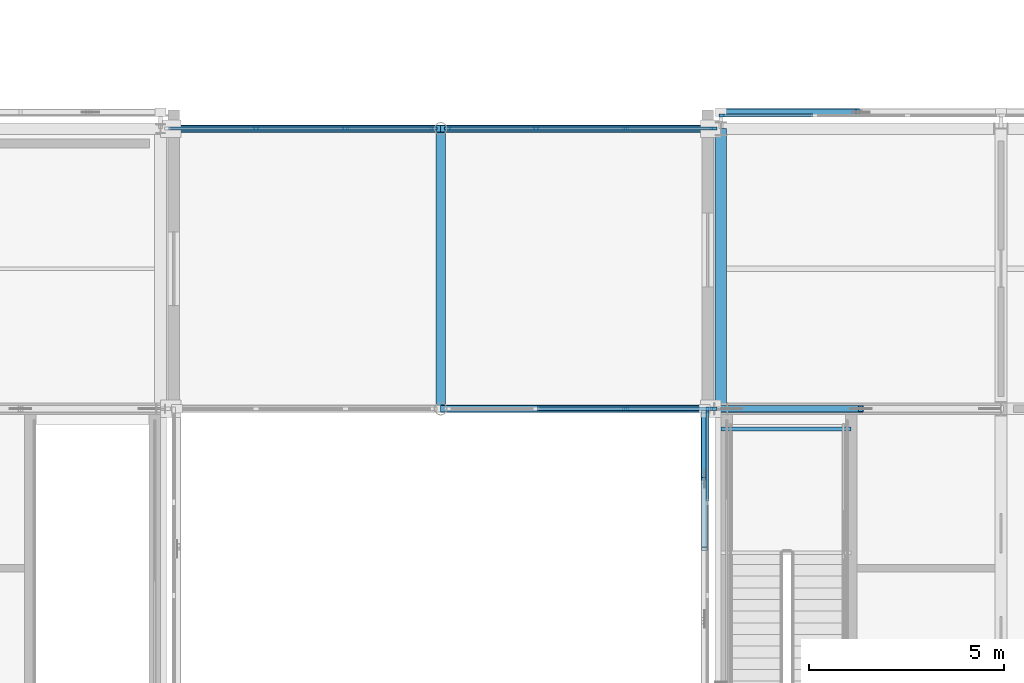
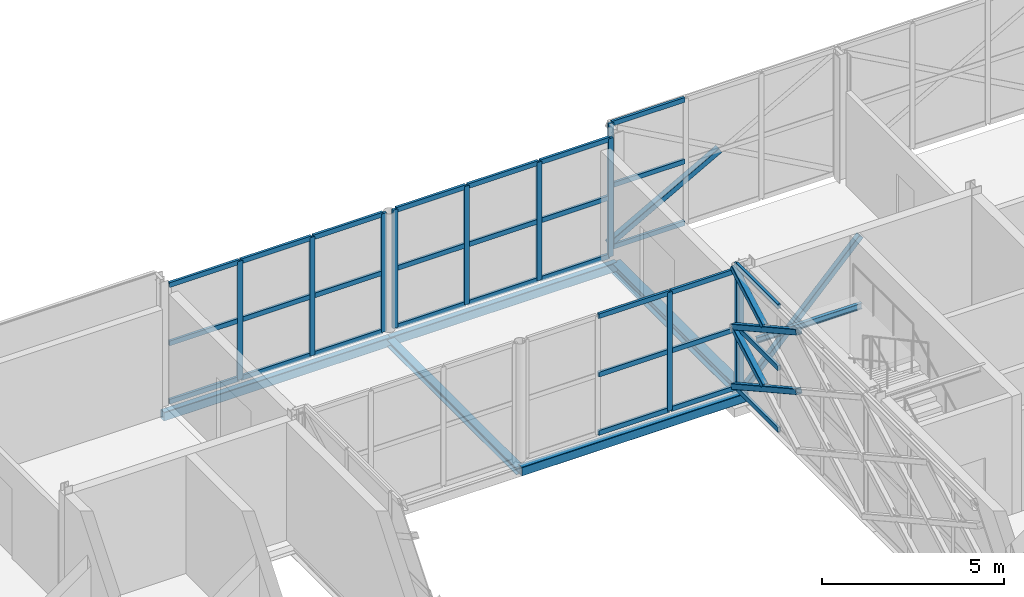
# One storey, part 26 of 126: 47 members, 6 beams, 5 elements without a shape of their own.
"""IFC4 building model written with IfcOpenShell, lengths in metres."""

from ifc_helpers import new_model, si_unit, direction, frame, origin, origin_2d, place, context, subcontext, project, spatial, rectangle, hollow_rectangle, i_section, extrude, material, material_profile, profile_set, type_object, element, aggregate, save


model = new_model("IFC4")

# Units and contexts
model_context = context("Model", 3, precision=1e-05, world=origin(), true_north=direction((0.0, 1.0)))
body_context = subcontext(model_context, "Body", "Model", "MODEL_VIEW")
ifc_project = project(units=[si_unit("LENGTHUNIT", "METRE"), si_unit("AREAUNIT", "SQUARE_METRE"), si_unit("VOLUMEUNIT", "CUBIC_METRE"), si_unit("PLANEANGLEUNIT", "RADIAN"), si_unit("MASSUNIT", "GRAM", prefix="KILO")], contexts=[model_context])

# Site, building, storey
site_placement = place(None, origin())
site = spatial("IfcSite", under=ifc_project, at=site_placement, CompositionType="ELEMENT")
building_placement = place(site_placement, origin())
building = spatial("IfcBuilding", under=site, at=building_placement, Name="Zlatovets Crest Museum", CompositionType="ELEMENT")
storey_placement = place(building_placement, frame((0.0, 0.0, 8.699951171875)))
storey = spatial("IfcBuildingStorey", under=building, at=storey_placement, Name="L02", CompositionType="ELEMENT", Elevation=8.699951171875)

# Beams
ifc_material_1 = material(Name="Structural steel S355J2", Category="steel")
ifc_material_profile_1 = material_profile(ifc_material_1, i_section(OverallWidth=0.300048828125, OverallDepth=0.35009765625, WebThickness=0.010009765625, FlangeThickness=0.017578125, FilletRadius=0.027099609375, at=origin_2d()), Name="HEA 360")
ifc_profile_set_1 = profile_set([ifc_material_profile_1], Name="Structural steel S355J2")
beam_type_1 = type_object("IfcBeamType", Name="Beam_B-03", PredefinedType="BEAM", material=ifc_profile_set_1)
beam_1_placement = place(storey_placement, frame((57.60009765625, 21.60009765625, -0.39501953125), z_axis=(0.0, 1.0, 0.0), x_axis=(-1.0, 0.0, 0.0)))
element("IfcBeam", 1, at=beam_1_placement, inside=storey, type_object=beam_type_1, Name="V2 L02 Grid Beam B-03", PredefinedType="BEAM", context=body_context, shape_type="SweptSolid", body=[
    extrude(i_section(OverallWidth=0.300048828125, OverallDepth=0.35009765625, WebThickness=0.010009765625, FlangeThickness=0.017578125, FilletRadius=0.027099609375, at=origin_2d()), origin(), (0.0, 0.0, 1.0), 7.199951171875),
])
ifc_material_profile_2 = material_profile(ifc_material_1, i_section(OverallWidth=0.239990234375, OverallDepth=0.22998046875, WebThickness=0.007568359375, FlangeThickness=0.011962890625, FilletRadius=0.02099609375, at=origin_2d()), Name="HEA 240")
ifc_profile_set_2 = profile_set([ifc_material_profile_2], Name="Structural steel S355J2")
beam_type_2 = type_object("IfcBeamType", Name="Beam_B-06", PredefinedType="BEAM", material=ifc_profile_set_2)
beam_2_placement = place(storey_placement, frame((50.39990234375, 21.60009765625, -0.369873046875), z_axis=(0.0, 1.0, 0.0), x_axis=(-1.0, 0.0, 0.0)))
element("IfcBeam", 2, at=beam_2_placement, inside=storey, type_object=beam_type_2, Name="South Forecourt Glazed Link Bridge L02 Cross Beam", PredefinedType="BEAM", context=body_context, shape_type="SweptSolid", body=[
    extrude(i_section(OverallWidth=0.239990234375, OverallDepth=0.22998046875, WebThickness=0.007568359375, FlangeThickness=0.011962890625, FilletRadius=0.02099609375, at=origin_2d()), origin(), (0.0, 0.0, 1.0), 7.199951171875),
])
ifc_material_profile_3 = material_profile(ifc_material_1, hollow_rectangle(XDim=0.199951171875, YDim=0.300048828125, WallThickness=0.012451171875, InnerFilletRadius=0.012451171875, OuterFilletRadius=0.02490234375, at=origin_2d()), Name="RHS 200x300x12.5")
ifc_profile_set_3 = profile_set([ifc_material_profile_3], Name="Structural steel S355J2")
beam_type_3 = type_object("IfcBeamType", Name="Beam_BRG-01", PredefinedType="BEAM", material=ifc_profile_set_3)
beam_3_placement = place(storey_placement, frame((50.39990234375, 21.60009765625, -0.369873046875), z_axis=(1.0, 0.0, 0.0), x_axis=(0.0, 1.0, 0.0)))
element("IfcBeam", 3, at=beam_3_placement, inside=storey, type_object=beam_type_3, Name="South Forecourt Glazed Link Bridge L02 Stringer Beam", PredefinedType="BEAM", context=body_context, shape_type="SweptSolid", body=[
    extrude(hollow_rectangle(XDim=0.199951171875, YDim=0.300048828125, WallThickness=0.012451171875, InnerFilletRadius=0.012451171875, OuterFilletRadius=0.02490234375, at=origin_2d()), origin(), (0.0, 0.0, 1.0), 7.2001953125),
])
beam_4_placement = place(storey_placement, frame((43.199951171875, 28.800048828125, -0.369873046875), z_axis=(1.0, 0.0, 0.0), x_axis=(0.0, 1.0, 0.0)))
element("IfcBeam", 4, at=beam_4_placement, inside=storey, type_object=beam_type_3, Name="South Forecourt Glazed Link Bridge L02 Stringer Beam", PredefinedType="BEAM", context=body_context, shape_type="SweptSolid", body=[
    extrude(hollow_rectangle(XDim=0.199951171875, YDim=0.300048828125, WallThickness=0.012451171875, InnerFilletRadius=0.012451171875, OuterFilletRadius=0.02490234375, at=origin_2d()), origin(), (0.0, 0.0, 1.0), 7.199951171875),
])
beam_5_placement = place(storey_placement, frame((50.39990234375, 28.800048828125, -0.369873046875), z_axis=(1.0, 0.0, 0.0), x_axis=(0.0, 1.0, 0.0)))
element("IfcBeam", 5, at=beam_5_placement, inside=storey, type_object=beam_type_3, Name="South Forecourt Glazed Link Bridge L02 Stringer Beam", PredefinedType="BEAM", context=body_context, shape_type="SweptSolid", body=[
    extrude(hollow_rectangle(XDim=0.199951171875, YDim=0.300048828125, WallThickness=0.012451171875, InnerFilletRadius=0.012451171875, OuterFilletRadius=0.02490234375, at=origin_2d()), origin(), (0.0, 0.0, 1.0), 7.2001953125),
])
ifc_material_profile_4 = material_profile(ifc_material_1, i_section(OverallWidth=0.10009765625, OverallDepth=0.199951171875, WebThickness=0.005615234375, FlangeThickness=0.008544921875, FilletRadius=0.011962890625, at=origin_2d()), Name="IPE 200")
ifc_profile_set_4 = profile_set([ifc_material_profile_4], Name="Structural steel S355J2")
beam_type_4 = type_object("IfcBeamType", Name="Beam_PR-02", PredefinedType="LINTEL", material=ifc_profile_set_4)
beam_6_placement = place(storey_placement, frame((57.60009765625, 21.080078125, 1.800048828125), z_axis=(1.0, 0.0, 0.0), x_axis=(0.0, 1.0, 0.0)))
element("IfcBeam", 6, at=beam_6_placement, inside=storey, type_object=beam_type_4, Name="Core C2 L02 Half-Landing Support Beam", PredefinedType="LINTEL", context=body_context, shape_type="SweptSolid", body=[
    extrude(i_section(OverallWidth=0.10009765625, OverallDepth=0.199951171875, WebThickness=0.005615234375, FlangeThickness=0.008544921875, FilletRadius=0.011962890625, at=origin_2d()), origin(), (0.0, 0.0, 1.0), 3.349853515625),
])

# Curtain wall, member
ifc_material_2 = material(Name="Bronze-anodised aluminium and low-E triple glass", Category="aluminium")
curtain_wall_type_1 = type_object("IfcCurtainWallType", Name="CW_CW-V2-L02-M1", PredefinedType="NOTDEFINED", material=ifc_material_2)
curtain_wall_1_placement = place(storey_placement, origin())
curtain_wall_1 = element("IfcCurtainWall", 7, at=curtain_wall_1_placement, inside=storey, type_object=curtain_wall_type_1, Name="V2 L02 Secession Foyer Clear Curtain Wall", PredefinedType="NOTDEFINED")
ifc_material_3 = material(Name="Bronze-anodised aluminium EN AW-6060", Category="aluminium")
ifc_material_profile_5 = material_profile(ifc_material_3, rectangle(XDim=0.080078125, YDim=0.159912109375, at=origin_2d()), Name="ALU 80x160")
ifc_profile_set_5 = profile_set([ifc_material_profile_5], Name="Bronze-anodised aluminium EN AW-6060")
member_type_1 = type_object("IfcMemberType", Name="CWMull_M1", PredefinedType="MULLION", material=ifc_profile_set_5)
member_1_placement = place(storey_placement, frame((57.6298828125, 29.139892578125, 0.0), z_axis=(0.0, 0.0, 1.0), x_axis=(0.0, -1.0, 0.0)))
member_1 = element("IfcMember", 8, at=member_1_placement, type_object=member_type_1, Name="CW-V2-L02-M1 mullion 4", PredefinedType="MULLION", context=body_context, shape_type="SweptSolid", body=[
    extrude(rectangle(XDim=0.080078125, YDim=0.159912109375, at=origin_2d()), origin(), (0.0, 0.0, 1.0), 4.199951171875),
])

curtain_wall_type_2 = type_object("IfcCurtainWallType", Name="CW_CW-V2-L02-M3", PredefinedType="NOTDEFINED", material=ifc_material_2)
curtain_wall_2_placement = place(storey_placement, origin())
curtain_wall_2 = element("IfcCurtainWall", 9, at=curtain_wall_2_placement, inside=storey, type_object=curtain_wall_type_2, Name="V2 L02 Expressed Core Glazed Facade", PredefinedType="NOTDEFINED")
member_2_placement = place(storey_placement, frame((57.260009765625, 21.570068359375, 0.0), z_axis=(0.0, 0.0, 1.0), x_axis=(1.0, 0.0, 0.0)))
member_2 = element("IfcMember", 10, at=member_2_placement, type_object=member_type_1, Name="CW-V2-L02-M3 mullion 1", PredefinedType="MULLION", context=body_context, shape_type="SweptSolid", body=[
    extrude(rectangle(XDim=0.080078125, YDim=0.159912109375, at=origin_2d()), origin(), (0.0, 0.0, 1.0), 4.199951171875),
])

# Curtain wall, members
curtain_wall_type_3 = type_object("IfcCurtainWallType", Name="CW_CW-BR1-L02-S69", PredefinedType="NOTDEFINED", material=ifc_material_2)
curtain_wall_3_placement = place(storey_placement, origin())
curtain_wall_3 = element("IfcCurtainWall", 11, at=curtain_wall_3_placement, inside=storey, type_object=curtain_wall_type_3, Name="South Forecourt Glazed Link Bridge L02 Glazed Bridge Curtain Wall", PredefinedType="NOTDEFINED")
member_3_placement = place(storey_placement, frame((55.14990234375, 21.60009765625, 0.0), z_axis=(0.0, 0.0, 1.0), x_axis=(0.0, 1.0, 0.0)))
member_3 = element("IfcMember", 12, at=member_3_placement, type_object=member_type_1, Name="CW-BR1-L02-S69 mullion 3", PredefinedType="MULLION", context=body_context, shape_type="SweptSolid", body=[
    extrude(rectangle(XDim=0.080078125, YDim=0.159912109375, at=origin_2d()), origin(), (0.0, 0.0, 1.0), 3.97998046875),
])
member_4_placement = place(storey_placement, frame((57.419921875, 21.60009765625, 0.0), z_axis=(0.0, 0.0, 1.0), x_axis=(0.0, 1.0, 0.0)))
member_4 = element("IfcMember", 13, at=member_4_placement, type_object=member_type_1, Name="CW-BR1-L02-S69 mullion 4", PredefinedType="MULLION", context=body_context, shape_type="SweptSolid", body=[
    extrude(rectangle(XDim=0.080078125, YDim=0.159912109375, at=origin_2d()), origin(), (0.0, 0.0, 1.0), 3.97998046875),
])

curtain_wall_4_placement = place(storey_placement, origin())
curtain_wall_4 = element("IfcCurtainWall", 14, at=curtain_wall_4_placement, inside=storey, type_object=curtain_wall_type_3, Name="South Forecourt Glazed Link Bridge L02 Glazed Bridge Curtain Wall", PredefinedType="NOTDEFINED")
member_5_placement = place(storey_placement, frame((45.64990234375, 28.800048828125, 0.0), z_axis=(0.0, 0.0, 1.0), x_axis=(0.0, 1.0, 0.0)))
member_5 = element("IfcMember", 15, at=member_5_placement, type_object=member_type_1, Name="CW-BR1-L02-S69 mullion 2", PredefinedType="MULLION", context=body_context, shape_type="SweptSolid", body=[
    extrude(rectangle(XDim=0.080078125, YDim=0.159912109375, at=origin_2d()), origin(), (0.0, 0.0, 1.0), 3.97998046875),
])
member_6_placement = place(storey_placement, frame((47.949951171875, 28.800048828125, 0.0), z_axis=(0.0, 0.0, 1.0), x_axis=(0.0, 1.0, 0.0)))
member_6 = element("IfcMember", 16, at=member_6_placement, type_object=member_type_1, Name="CW-BR1-L02-S69 mullion 3", PredefinedType="MULLION", context=body_context, shape_type="SweptSolid", body=[
    extrude(rectangle(XDim=0.080078125, YDim=0.159912109375, at=origin_2d()), origin(), (0.0, 0.0, 1.0), 3.97998046875),
])
member_7_placement = place(storey_placement, frame((50.219970703125, 28.800048828125, 0.0), z_axis=(0.0, 0.0, 1.0), x_axis=(0.0, 1.0, 0.0)))
member_7 = element("IfcMember", 17, at=member_7_placement, type_object=member_type_1, Name="CW-BR1-L02-S69 mullion 4", PredefinedType="MULLION", context=body_context, shape_type="SweptSolid", body=[
    extrude(rectangle(XDim=0.080078125, YDim=0.159912109375, at=origin_2d()), origin(), (0.0, 0.0, 1.0), 3.97998046875),
])

curtain_wall_5_placement = place(storey_placement, origin())
curtain_wall_5 = element("IfcCurtainWall", 18, at=curtain_wall_5_placement, inside=storey, type_object=curtain_wall_type_3, Name="South Forecourt Glazed Link Bridge L02 Glazed Bridge Curtain Wall", PredefinedType="NOTDEFINED")
member_8_placement = place(storey_placement, frame((50.580078125, 28.800048828125, 0.0), z_axis=(0.0, 0.0, 1.0), x_axis=(0.0, 1.0, 0.0)))
member_8 = element("IfcMember", 19, at=member_8_placement, type_object=member_type_1, Name="CW-BR1-L02-S69 mullion 1", PredefinedType="MULLION", context=body_context, shape_type="SweptSolid", body=[
    extrude(rectangle(XDim=0.080078125, YDim=0.159912109375, at=origin_2d()), origin(), (0.0, 0.0, 1.0), 3.97998046875),
])
member_9_placement = place(storey_placement, frame((52.85009765625, 28.800048828125, 0.0), z_axis=(0.0, 0.0, 1.0), x_axis=(0.0, 1.0, 0.0)))
member_9 = element("IfcMember", 20, at=member_9_placement, type_object=member_type_1, Name="CW-BR1-L02-S69 mullion 2", PredefinedType="MULLION", context=body_context, shape_type="SweptSolid", body=[
    extrude(rectangle(XDim=0.080078125, YDim=0.159912109375, at=origin_2d()), origin(), (0.0, 0.0, 1.0), 3.97998046875),
])
member_10_placement = place(storey_placement, frame((55.14990234375, 28.800048828125, 0.0), z_axis=(0.0, 0.0, 1.0), x_axis=(0.0, 1.0, 0.0)))
member_10 = element("IfcMember", 21, at=member_10_placement, type_object=member_type_1, Name="CW-BR1-L02-S69 mullion 3", PredefinedType="MULLION", context=body_context, shape_type="SweptSolid", body=[
    extrude(rectangle(XDim=0.080078125, YDim=0.159912109375, at=origin_2d()), origin(), (0.0, 0.0, 1.0), 3.97998046875),
])
member_11_placement = place(storey_placement, frame((57.419921875, 28.800048828125, 0.0), z_axis=(0.0, 0.0, 1.0), x_axis=(0.0, 1.0, 0.0)))
member_11 = element("IfcMember", 22, at=member_11_placement, type_object=member_type_1, Name="CW-BR1-L02-S69 mullion 4", PredefinedType="MULLION", context=body_context, shape_type="SweptSolid", body=[
    extrude(rectangle(XDim=0.080078125, YDim=0.159912109375, at=origin_2d()), origin(), (0.0, 0.0, 1.0), 3.97998046875),
])

# Member
ifc_material_profile_6 = material_profile(ifc_material_3, rectangle(XDim=0.080078125, YDim=0.159912109375, at=origin_2d()), Name="ALU 80x160")
ifc_profile_set_6 = profile_set([ifc_material_profile_6], Name="Bronze-anodised aluminium EN AW-6060")
member_type_2 = type_object("IfcMemberType", Name="CWTrans_T1", PredefinedType="USERDEFINED", material=ifc_profile_set_6)
member_12_placement = place(storey_placement, frame((59.969970703125, 29.139892578125, 0.030029296875), z_axis=(-1.0, 0.0, 0.0), x_axis=(0.0, -1.0, 0.0)))
member_12 = element("IfcMember", 23, at=member_12_placement, type_object=member_type_2, Name="CW-V2-L02-M1 transom 3.1", ObjectType="TRANSOM", PredefinedType="USERDEFINED", context=body_context, shape_type="SweptSolid", body=[
    extrude(rectangle(XDim=0.080078125, YDim=0.159912109375, at=origin_2d()), origin(), (0.0, 0.0, 1.0), 2.31005859375),
])

member_13_placement = place(storey_placement, frame((59.969970703125, 29.139892578125, 2.10009765625), z_axis=(-1.0, 0.0, 0.0), x_axis=(0.0, -1.0, 0.0)))
member_13 = element("IfcMember", 24, at=member_13_placement, type_object=member_type_2, Name="CW-V2-L02-M1 transom 3.2", ObjectType="TRANSOM", PredefinedType="USERDEFINED", context=body_context, shape_type="SweptSolid", body=[
    extrude(rectangle(XDim=0.080078125, YDim=0.159912109375, at=origin_2d()), origin(), (0.0, 0.0, 1.0), 2.31005859375),
])

member_14_placement = place(storey_placement, frame((59.969970703125, 29.139892578125, 4.170166015625), z_axis=(-1.0, 0.0, 0.0), x_axis=(0.0, -1.0, 0.0)))
member_14 = element("IfcMember", 25, at=member_14_placement, type_object=member_type_2, Name="CW-V2-L02-M1 transom 3.3", ObjectType="TRANSOM", PredefinedType="USERDEFINED", context=body_context, shape_type="SweptSolid", body=[
    extrude(rectangle(XDim=0.080078125, YDim=0.159912109375, at=origin_2d()), origin(), (0.0, 0.0, 1.0), 2.31005859375),
])

aggregate(curtain_wall_1, [member_1, member_12, member_13, member_14])

member_15_placement = place(storey_placement, frame((57.260009765625, 21.5400390625, 0.030029296875), z_axis=(0.0, -1.0, 0.0), x_axis=(1.0, 0.0, 0.0)))
member_15 = element("IfcMember", 26, at=member_15_placement, type_object=member_type_2, Name="CW-V2-L02-M3 transom 1.1", ObjectType="TRANSOM", PredefinedType="USERDEFINED", context=body_context, shape_type="SweptSolid", body=[
    extrude(rectangle(XDim=0.080078125, YDim=0.159912109375, at=origin_2d()), origin(), (0.0, 0.0, 1.0), 2.31005859375),
])

member_16_placement = place(storey_placement, frame((57.260009765625, 21.5400390625, 2.10009765625), z_axis=(0.0, -1.0, 0.0), x_axis=(1.0, 0.0, 0.0)))
member_16 = element("IfcMember", 27, at=member_16_placement, type_object=member_type_2, Name="CW-V2-L02-M3 transom 1.2", ObjectType="TRANSOM", PredefinedType="USERDEFINED", context=body_context, shape_type="SweptSolid", body=[
    extrude(rectangle(XDim=0.080078125, YDim=0.159912109375, at=origin_2d()), origin(), (0.0, 0.0, 1.0), 2.31005859375),
])

member_17_placement = place(storey_placement, frame((57.260009765625, 21.5400390625, 4.170166015625), z_axis=(0.0, -1.0, 0.0), x_axis=(1.0, 0.0, 0.0)))
member_17 = element("IfcMember", 28, at=member_17_placement, type_object=member_type_2, Name="CW-V2-L02-M3 transom 1.3", ObjectType="TRANSOM", PredefinedType="USERDEFINED", context=body_context, shape_type="SweptSolid", body=[
    extrude(rectangle(XDim=0.080078125, YDim=0.159912109375, at=origin_2d()), origin(), (0.0, 0.0, 1.0), 2.31005859375),
])

aggregate(curtain_wall_2, [member_2, member_15, member_16, member_17])

member_18_placement = place(storey_placement, frame((52.8798828125, 21.60009765625, 0.030029296875), z_axis=(1.0, 0.0, 0.0), x_axis=(0.0, 1.0, 0.0)))
member_18 = element("IfcMember", 29, at=member_18_placement, type_object=member_type_2, Name="CW-BR1-L02-S69 transom 2.1", ObjectType="TRANSOM", PredefinedType="USERDEFINED", context=body_context, shape_type="SweptSolid", body=[
    extrude(rectangle(XDim=0.080078125, YDim=0.159912109375, at=origin_2d()), origin(), (0.0, 0.0, 1.0), 2.240234375),
])

member_19_placement = place(storey_placement, frame((52.8798828125, 21.60009765625, 1.989990234375), z_axis=(1.0, 0.0, 0.0), x_axis=(0.0, 1.0, 0.0)))
member_19 = element("IfcMember", 30, at=member_19_placement, type_object=member_type_2, Name="CW-BR1-L02-S69 transom 2.2", ObjectType="TRANSOM", PredefinedType="USERDEFINED", context=body_context, shape_type="SweptSolid", body=[
    extrude(rectangle(XDim=0.080078125, YDim=0.159912109375, at=origin_2d()), origin(), (0.0, 0.0, 1.0), 2.240234375),
])

member_20_placement = place(storey_placement, frame((52.8798828125, 21.60009765625, 3.949951171875), z_axis=(1.0, 0.0, 0.0), x_axis=(0.0, 1.0, 0.0)))
member_20 = element("IfcMember", 31, at=member_20_placement, type_object=member_type_2, Name="CW-BR1-L02-S69 transom 2.3", ObjectType="TRANSOM", PredefinedType="USERDEFINED", context=body_context, shape_type="SweptSolid", body=[
    extrude(rectangle(XDim=0.080078125, YDim=0.159912109375, at=origin_2d()), origin(), (0.0, 0.0, 1.0), 2.240234375),
])

member_21_placement = place(storey_placement, frame((55.179931640625, 21.60009765625, 0.030029296875), z_axis=(1.0, 0.0, 0.0), x_axis=(0.0, 1.0, 0.0)))
member_21 = element("IfcMember", 32, at=member_21_placement, type_object=member_type_2, Name="CW-BR1-L02-S69 transom 3.1", ObjectType="TRANSOM", PredefinedType="USERDEFINED", context=body_context, shape_type="SweptSolid", body=[
    extrude(rectangle(XDim=0.080078125, YDim=0.159912109375, at=origin_2d()), origin(), (0.0, 0.0, 1.0), 2.2099609375),
])

member_22_placement = place(storey_placement, frame((55.179931640625, 21.60009765625, 1.989990234375), z_axis=(1.0, 0.0, 0.0), x_axis=(0.0, 1.0, 0.0)))
member_22 = element("IfcMember", 33, at=member_22_placement, type_object=member_type_2, Name="CW-BR1-L02-S69 transom 3.2", ObjectType="TRANSOM", PredefinedType="USERDEFINED", context=body_context, shape_type="SweptSolid", body=[
    extrude(rectangle(XDim=0.080078125, YDim=0.159912109375, at=origin_2d()), origin(), (0.0, 0.0, 1.0), 2.2099609375),
])

member_23_placement = place(storey_placement, frame((55.179931640625, 21.60009765625, 3.949951171875), z_axis=(1.0, 0.0, 0.0), x_axis=(0.0, 1.0, 0.0)))
member_23 = element("IfcMember", 34, at=member_23_placement, type_object=member_type_2, Name="CW-BR1-L02-S69 transom 3.3", ObjectType="TRANSOM", PredefinedType="USERDEFINED", context=body_context, shape_type="SweptSolid", body=[
    extrude(rectangle(XDim=0.080078125, YDim=0.159912109375, at=origin_2d()), origin(), (0.0, 0.0, 1.0), 2.2099609375),
])

aggregate(curtain_wall_3, [member_3, member_4, member_18, member_19, member_20, member_21, member_22, member_23])

member_24_placement = place(storey_placement, frame((43.409912109375, 28.800048828125, 0.030029296875), z_axis=(1.0, 0.0, 0.0), x_axis=(0.0, 1.0, 0.0)))
member_24 = element("IfcMember", 35, at=member_24_placement, type_object=member_type_2, Name="CW-BR1-L02-S69 transom 1.1", ObjectType="TRANSOM", PredefinedType="USERDEFINED", context=body_context, shape_type="SweptSolid", body=[
    extrude(rectangle(XDim=0.080078125, YDim=0.159912109375, at=origin_2d()), origin(), (0.0, 0.0, 1.0), 2.210205078125),
])

member_25_placement = place(storey_placement, frame((43.409912109375, 28.800048828125, 1.989990234375), z_axis=(1.0, 0.0, 0.0), x_axis=(0.0, 1.0, 0.0)))
member_25 = element("IfcMember", 36, at=member_25_placement, type_object=member_type_2, Name="CW-BR1-L02-S69 transom 1.2", ObjectType="TRANSOM", PredefinedType="USERDEFINED", context=body_context, shape_type="SweptSolid", body=[
    extrude(rectangle(XDim=0.080078125, YDim=0.159912109375, at=origin_2d()), origin(), (0.0, 0.0, 1.0), 2.210205078125),
])

member_26_placement = place(storey_placement, frame((43.409912109375, 28.800048828125, 3.949951171875), z_axis=(1.0, 0.0, 0.0), x_axis=(0.0, 1.0, 0.0)))
member_26 = element("IfcMember", 37, at=member_26_placement, type_object=member_type_2, Name="CW-BR1-L02-S69 transom 1.3", ObjectType="TRANSOM", PredefinedType="USERDEFINED", context=body_context, shape_type="SweptSolid", body=[
    extrude(rectangle(XDim=0.080078125, YDim=0.159912109375, at=origin_2d()), origin(), (0.0, 0.0, 1.0), 2.210205078125),
])

member_27_placement = place(storey_placement, frame((45.679931640625, 28.800048828125, 0.030029296875), z_axis=(1.0, 0.0, 0.0), x_axis=(0.0, 1.0, 0.0)))
member_27 = element("IfcMember", 38, at=member_27_placement, type_object=member_type_2, Name="CW-BR1-L02-S69 transom 2.1", ObjectType="TRANSOM", PredefinedType="USERDEFINED", context=body_context, shape_type="SweptSolid", body=[
    extrude(rectangle(XDim=0.080078125, YDim=0.159912109375, at=origin_2d()), origin(), (0.0, 0.0, 1.0), 2.239990234375),
])

member_28_placement = place(storey_placement, frame((45.679931640625, 28.800048828125, 1.989990234375), z_axis=(1.0, 0.0, 0.0), x_axis=(0.0, 1.0, 0.0)))
member_28 = element("IfcMember", 39, at=member_28_placement, type_object=member_type_2, Name="CW-BR1-L02-S69 transom 2.2", ObjectType="TRANSOM", PredefinedType="USERDEFINED", context=body_context, shape_type="SweptSolid", body=[
    extrude(rectangle(XDim=0.080078125, YDim=0.159912109375, at=origin_2d()), origin(), (0.0, 0.0, 1.0), 2.239990234375),
])

member_29_placement = place(storey_placement, frame((45.679931640625, 28.800048828125, 3.949951171875), z_axis=(1.0, 0.0, 0.0), x_axis=(0.0, 1.0, 0.0)))
member_29 = element("IfcMember", 40, at=member_29_placement, type_object=member_type_2, Name="CW-BR1-L02-S69 transom 2.3", ObjectType="TRANSOM", PredefinedType="USERDEFINED", context=body_context, shape_type="SweptSolid", body=[
    extrude(rectangle(XDim=0.080078125, YDim=0.159912109375, at=origin_2d()), origin(), (0.0, 0.0, 1.0), 2.239990234375),
])

member_30_placement = place(storey_placement, frame((47.97998046875, 28.800048828125, 0.030029296875), z_axis=(1.0, 0.0, 0.0), x_axis=(0.0, 1.0, 0.0)))
member_30 = element("IfcMember", 41, at=member_30_placement, type_object=member_type_2, Name="CW-BR1-L02-S69 transom 3.1", ObjectType="TRANSOM", PredefinedType="USERDEFINED", context=body_context, shape_type="SweptSolid", body=[
    extrude(rectangle(XDim=0.080078125, YDim=0.159912109375, at=origin_2d()), origin(), (0.0, 0.0, 1.0), 2.2099609375),
])

member_31_placement = place(storey_placement, frame((47.97998046875, 28.800048828125, 1.989990234375), z_axis=(1.0, 0.0, 0.0), x_axis=(0.0, 1.0, 0.0)))
member_31 = element("IfcMember", 42, at=member_31_placement, type_object=member_type_2, Name="CW-BR1-L02-S69 transom 3.2", ObjectType="TRANSOM", PredefinedType="USERDEFINED", context=body_context, shape_type="SweptSolid", body=[
    extrude(rectangle(XDim=0.080078125, YDim=0.159912109375, at=origin_2d()), origin(), (0.0, 0.0, 1.0), 2.2099609375),
])

member_32_placement = place(storey_placement, frame((47.97998046875, 28.800048828125, 3.949951171875), z_axis=(1.0, 0.0, 0.0), x_axis=(0.0, 1.0, 0.0)))
member_32 = element("IfcMember", 43, at=member_32_placement, type_object=member_type_2, Name="CW-BR1-L02-S69 transom 3.3", ObjectType="TRANSOM", PredefinedType="USERDEFINED", context=body_context, shape_type="SweptSolid", body=[
    extrude(rectangle(XDim=0.080078125, YDim=0.159912109375, at=origin_2d()), origin(), (0.0, 0.0, 1.0), 2.2099609375),
])

aggregate(curtain_wall_4, [member_5, member_6, member_7, member_24, member_25, member_26, member_27, member_28, member_29, member_30, member_31, member_32])

member_33_placement = place(storey_placement, frame((50.610107421875, 28.800048828125, 0.030029296875), z_axis=(1.0, 0.0, 0.0), x_axis=(0.0, 1.0, 0.0)))
member_33 = element("IfcMember", 44, at=member_33_placement, type_object=member_type_2, Name="CW-BR1-L02-S69 transom 1.1", ObjectType="TRANSOM", PredefinedType="USERDEFINED", context=body_context, shape_type="SweptSolid", body=[
    extrude(rectangle(XDim=0.080078125, YDim=0.159912109375, at=origin_2d()), origin(), (0.0, 0.0, 1.0), 2.2099609375),
])

member_34_placement = place(storey_placement, frame((50.610107421875, 28.800048828125, 1.989990234375), z_axis=(1.0, 0.0, 0.0), x_axis=(0.0, 1.0, 0.0)))
member_34 = element("IfcMember", 45, at=member_34_placement, type_object=member_type_2, Name="CW-BR1-L02-S69 transom 1.2", ObjectType="TRANSOM", PredefinedType="USERDEFINED", context=body_context, shape_type="SweptSolid", body=[
    extrude(rectangle(XDim=0.080078125, YDim=0.159912109375, at=origin_2d()), origin(), (0.0, 0.0, 1.0), 2.2099609375),
])

member_35_placement = place(storey_placement, frame((50.610107421875, 28.800048828125, 3.949951171875), z_axis=(1.0, 0.0, 0.0), x_axis=(0.0, 1.0, 0.0)))
member_35 = element("IfcMember", 46, at=member_35_placement, type_object=member_type_2, Name="CW-BR1-L02-S69 transom 1.3", ObjectType="TRANSOM", PredefinedType="USERDEFINED", context=body_context, shape_type="SweptSolid", body=[
    extrude(rectangle(XDim=0.080078125, YDim=0.159912109375, at=origin_2d()), origin(), (0.0, 0.0, 1.0), 2.2099609375),
])

member_36_placement = place(storey_placement, frame((52.8798828125, 28.800048828125, 0.030029296875), z_axis=(1.0, 0.0, 0.0), x_axis=(0.0, 1.0, 0.0)))
member_36 = element("IfcMember", 47, at=member_36_placement, type_object=member_type_2, Name="CW-BR1-L02-S69 transom 2.1", ObjectType="TRANSOM", PredefinedType="USERDEFINED", context=body_context, shape_type="SweptSolid", body=[
    extrude(rectangle(XDim=0.080078125, YDim=0.159912109375, at=origin_2d()), origin(), (0.0, 0.0, 1.0), 2.240234375),
])

member_37_placement = place(storey_placement, frame((52.8798828125, 28.800048828125, 1.989990234375), z_axis=(1.0, 0.0, 0.0), x_axis=(0.0, 1.0, 0.0)))
member_37 = element("IfcMember", 48, at=member_37_placement, type_object=member_type_2, Name="CW-BR1-L02-S69 transom 2.2", ObjectType="TRANSOM", PredefinedType="USERDEFINED", context=body_context, shape_type="SweptSolid", body=[
    extrude(rectangle(XDim=0.080078125, YDim=0.159912109375, at=origin_2d()), origin(), (0.0, 0.0, 1.0), 2.240234375),
])

member_38_placement = place(storey_placement, frame((52.8798828125, 28.800048828125, 3.949951171875), z_axis=(1.0, 0.0, 0.0), x_axis=(0.0, 1.0, 0.0)))
member_38 = element("IfcMember", 49, at=member_38_placement, type_object=member_type_2, Name="CW-BR1-L02-S69 transom 2.3", ObjectType="TRANSOM", PredefinedType="USERDEFINED", context=body_context, shape_type="SweptSolid", body=[
    extrude(rectangle(XDim=0.080078125, YDim=0.159912109375, at=origin_2d()), origin(), (0.0, 0.0, 1.0), 2.240234375),
])

member_39_placement = place(storey_placement, frame((55.179931640625, 28.800048828125, 0.030029296875), z_axis=(1.0, 0.0, 0.0), x_axis=(0.0, 1.0, 0.0)))
member_39 = element("IfcMember", 50, at=member_39_placement, type_object=member_type_2, Name="CW-BR1-L02-S69 transom 3.1", ObjectType="TRANSOM", PredefinedType="USERDEFINED", context=body_context, shape_type="SweptSolid", body=[
    extrude(rectangle(XDim=0.080078125, YDim=0.159912109375, at=origin_2d()), origin(), (0.0, 0.0, 1.0), 2.2099609375),
])

member_40_placement = place(storey_placement, frame((55.179931640625, 28.800048828125, 1.989990234375), z_axis=(1.0, 0.0, 0.0), x_axis=(0.0, 1.0, 0.0)))
member_40 = element("IfcMember", 51, at=member_40_placement, type_object=member_type_2, Name="CW-BR1-L02-S69 transom 3.2", ObjectType="TRANSOM", PredefinedType="USERDEFINED", context=body_context, shape_type="SweptSolid", body=[
    extrude(rectangle(XDim=0.080078125, YDim=0.159912109375, at=origin_2d()), origin(), (0.0, 0.0, 1.0), 2.2099609375),
])

member_41_placement = place(storey_placement, frame((55.179931640625, 28.800048828125, 3.949951171875), z_axis=(1.0, 0.0, 0.0), x_axis=(0.0, 1.0, 0.0)))
member_41 = element("IfcMember", 52, at=member_41_placement, type_object=member_type_2, Name="CW-BR1-L02-S69 transom 3.3", ObjectType="TRANSOM", PredefinedType="USERDEFINED", context=body_context, shape_type="SweptSolid", body=[
    extrude(rectangle(XDim=0.080078125, YDim=0.159912109375, at=origin_2d()), origin(), (0.0, 0.0, 1.0), 2.2099609375),
])

aggregate(curtain_wall_5, [member_8, member_9, member_10, member_11, member_33, member_34, member_35, member_36, member_37, member_38, member_39, member_40, member_41])

# Members
ifc_material_4 = material(Name="Weathering bronze-steel S355J2W", Category="steel")
ifc_material_profile_7 = material_profile(ifc_material_4, hollow_rectangle(XDim=0.179931640625, YDim=0.179931640625, WallThickness=0.010009765625, InnerFilletRadius=0.010009765625, OuterFilletRadius=0.02001953125, at=origin_2d()), Name="SHS 180x180x10.0")
ifc_profile_set_7 = profile_set([ifc_material_profile_7], Name="Weathering bronze-steel S355J2W")
member_type_3 = type_object("IfcMemberType", Name="Lattice_XL-01", PredefinedType="BRACE", material=ifc_profile_set_7)
member_42_placement = place(storey_placement, frame((57.179931640625, 21.60009765625, 0.10009765625), z_axis=(0.0, -0.874162868644, 0.485632864501), x_axis=(1.0, 0.0, 0.0)))
element("IfcMember", 53, at=member_42_placement, inside=storey, type_object=member_type_3, Name="Continuous Bronze Lattice Diagonal", PredefinedType="BRACE", context=body_context, shape_type="SweptSolid", body=[
    extrude(hollow_rectangle(XDim=0.179931640625, YDim=0.179931640625, WallThickness=0.010009765625, InnerFilletRadius=0.010009765625, OuterFilletRadius=0.02001953125, at=origin_2d()), origin(), (0.0, 0.0, 1.0), 4.118408203125),
])
member_43_placement = place(storey_placement, frame((57.179931640625, 21.60009765625, 2.10009765625), z_axis=(0.0, -0.874169001841, -0.485621824284), x_axis=(1.0, 0.0, 0.0)))
element("IfcMember", 54, at=member_43_placement, inside=storey, type_object=member_type_3, Name="Split Crossing Bronze Lattice Diagonal Upper", PredefinedType="BRACE", context=body_context, shape_type="SweptSolid", body=[
    extrude(hollow_rectangle(XDim=0.179931640625, YDim=0.179931640625, WallThickness=0.010009765625, InnerFilletRadius=0.010009765625, OuterFilletRadius=0.02001953125, at=origin_2d()), origin(), (0.0, 0.0, 1.0), 1.964111328125),
])
member_44_placement = place(storey_placement, frame((57.179931640625, 21.60009765625, 2.10009765625), z_axis=(0.0, -0.874162868644, 0.485632864501), x_axis=(1.0, 0.0, 0.0)))
element("IfcMember", 55, at=member_44_placement, inside=storey, type_object=member_type_3, Name="Continuous Bronze Lattice Diagonal", PredefinedType="BRACE", context=body_context, shape_type="SweptSolid", body=[
    extrude(hollow_rectangle(XDim=0.179931640625, YDim=0.179931640625, WallThickness=0.010009765625, InnerFilletRadius=0.010009765625, OuterFilletRadius=0.02001953125, at=origin_2d()), origin(), (0.0, 0.0, 1.0), 4.118408203125),
])
member_45_placement = place(storey_placement, frame((57.179931640625, 21.60009765625, 4.10009765625), z_axis=(0.0, -0.874169001841, -0.485621824284), x_axis=(1.0, 0.0, 0.0)))
element("IfcMember", 56, at=member_45_placement, inside=storey, type_object=member_type_3, Name="Split Crossing Bronze Lattice Diagonal Upper", PredefinedType="BRACE", context=body_context, shape_type="SweptSolid", body=[
    extrude(hollow_rectangle(XDim=0.179931640625, YDim=0.179931640625, WallThickness=0.010009765625, InnerFilletRadius=0.010009765625, OuterFilletRadius=0.02001953125, at=origin_2d()), origin(), (0.0, 0.0, 1.0), 1.964111328125),
])
ifc_material_profile_8 = material_profile(ifc_material_4, hollow_rectangle(XDim=0.199951171875, YDim=0.199951171875, WallThickness=0.012451171875, InnerFilletRadius=0.012451171875, OuterFilletRadius=0.02490234375, at=origin_2d()), Name="SHS 200x200x12.5")
ifc_profile_set_8 = profile_set([ifc_material_profile_8], Name="Weathering bronze-steel S355J2W")
member_type_4 = type_object("IfcMemberType", Name="Lattice_XL-02", PredefinedType="BRACE", material=ifc_profile_set_8)
member_46_placement = place(storey_placement, frame((61.116943359375, 29.219970703125, 2.053955078125), z_axis=(-0.874151551165, 0.0, -0.485653235958), x_axis=(0.0, -1.0, 0.0)))
element("IfcMember", 57, at=member_46_placement, inside=storey, type_object=member_type_4, Name="Split Crossing Bronze Lattice Diagonal Lower", PredefinedType="BRACE", context=body_context, shape_type="SweptSolid", body=[
    extrude(hollow_rectangle(XDim=0.199951171875, YDim=0.199951171875, WallThickness=0.012451171875, InnerFilletRadius=0.012451171875, OuterFilletRadius=0.02490234375, at=origin_2d()), origin(), (0.0, 0.0, 1.0), 4.023193359375),
])
ifc_material_profile_9 = material_profile(ifc_material_1, hollow_rectangle(XDim=0.179931640625, YDim=0.179931640625, WallThickness=0.010009765625, InnerFilletRadius=0.010009765625, OuterFilletRadius=0.02001953125, at=origin_2d()), Name="SHS 180x180x10.0")
ifc_profile_set_9 = profile_set([ifc_material_profile_9], Name="Structural steel S355J2")
member_type_5 = type_object("IfcMemberType", Name="Member_BR-02", PredefinedType="BRACE", material=ifc_profile_set_9)
member_47_placement = place(storey_placement, frame((57.60009765625, 21.60009765625, 0.0), z_axis=(0.692517163318, 0.0, 0.721401399021), x_axis=(0.0, 1.0, 0.0)))
element("IfcMember", 58, at=member_47_placement, inside=storey, type_object=member_type_5, Name="V2 L02 Concentric Seismic Brace", PredefinedType="BRACE", context=body_context, shape_type="SweptSolid", body=[
    extrude(hollow_rectangle(XDim=0.179931640625, YDim=0.179931640625, WallThickness=0.010009765625, InnerFilletRadius=0.010009765625, OuterFilletRadius=0.02001953125, at=origin_2d()), origin(), (0.0, 0.0, 1.0), 5.1982421875),
])

save(model, "model.ifc")
